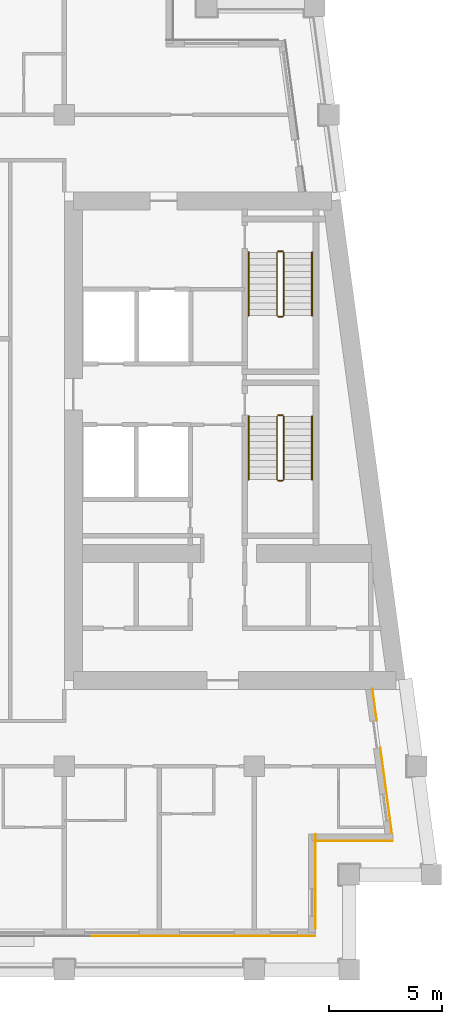
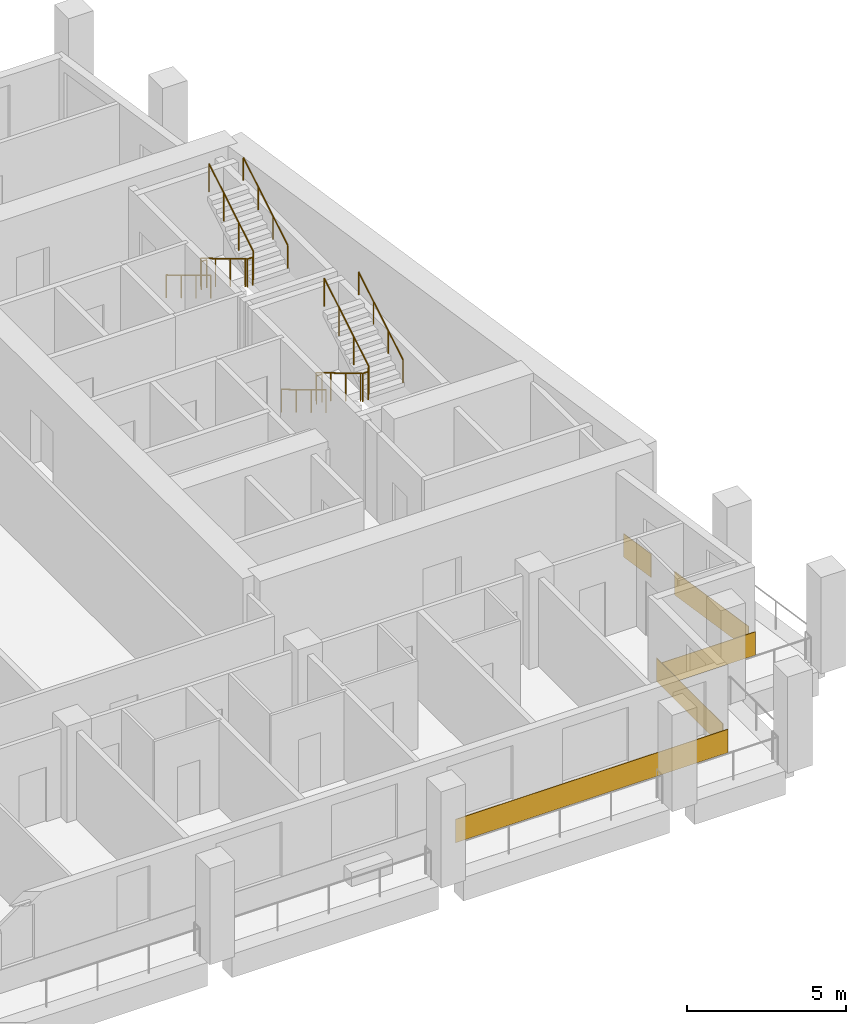
# One storey, part 10 of 12: 8 railings, 5 coverings.
"""IFC4 building model written with IfcOpenShell, lengths in metres."""

import ifcopenshell
import ifcopenshell.guid

model = None  # the IFC model being written
_history = None  # IfcOwnerHistory: only IFC2X3 demands one
_inside = {}  # id of a spatial element -> (the spatial element, [elements in it])
_under = {}  # id of a project, library or spatial element -> (it, [spatial elements below it])
_declared = {}  # id of a project -> (the project, [libraries it declares])
_typed = {}  # id of a type object -> (the type object, [elements of that type])
_made_of = {}  # id of a material, layer set ... -> (it, [elements and type objects made of it])


def new_model(schema):
    """Start an empty IFC model of exactly this schema.

    Asked for "IFC4X3", IfcOpenShell would pick the latest addendum, in which some entities
    have other attributes; the version numbers below select the first issue.
    IFC2X3 requires an IfcOwnerHistory on every rooted entity: one is made here for all.
    """
    global model, _history
    if schema == "IFC4X3":
        model = ifcopenshell.file(schema_version=(4, 3, 0, 0))
    else:
        model = ifcopenshell.file(schema=schema)
    _inside.clear()
    _under.clear()
    _declared.clear()
    _typed.clear()
    _made_of.clear()
    _history = None
    if model.schema == "IFC2X3":
        org = make("IfcOrganization", Name="unknown")
        user = make(
            "IfcPersonAndOrganization",
            ThePerson=make("IfcPerson", FamilyName="unknown"),
            TheOrganization=org,
        )
        app = make(
            "IfcApplication",
            ApplicationDeveloper=org,
            Version="unknown",
            ApplicationFullName="unknown",
            ApplicationIdentifier="unknown",
        )
        _history = make(
            "IfcOwnerHistory",
            OwningUser=user,
            OwningApplication=app,
            ChangeAction="ADDED",
            CreationDate=0,
        )
    return model


def make(cls, **values):
    """One entity of the class cls with the attributes given. An attribute that is None is left unset."""
    return model.create_entity(
        cls, **{name: value for name, value in values.items() if value is not None}
    )


def rooted(cls, **values):
    """An entity with a GlobalId (a new one), such as an element, a storey or a relation."""
    return make(cls, GlobalId=ifcopenshell.guid.new(), OwnerHistory=_history, **values)


def si_unit(unit_type, name, prefix=None):
    """IfcSIUnit, for example si_unit("LENGTHUNIT", "METRE", prefix="MILLI")."""
    return make("IfcSIUnit", UnitType=unit_type, Prefix=prefix, Name=name)


def assignment(units):
    """IfcUnitAssignment: the units of a project."""
    return None if units is None else make("IfcUnitAssignment", Units=units)


def point(xyz):
    """IfcCartesianPoint."""
    return None if xyz is None else make("IfcCartesianPoint", Coordinates=xyz)


def direction(xyz):
    """IfcDirection."""
    return None if xyz is None else make("IfcDirection", DirectionRatios=xyz)


def frame(location, z_axis=None, x_axis=None):
    """IfcAxis2Placement3D, a coordinate frame: its origin and axes. An axis left out is left unset."""
    return make(
        "IfcAxis2Placement3D",
        Location=point(location),
        Axis=direction(z_axis),
        RefDirection=direction(x_axis),
    )


def frame_2d(location, x_axis=None):
    """IfcAxis2Placement2D, a coordinate frame in the plane: its origin and x axis."""
    return make(
        "IfcAxis2Placement2D", Location=point(location), RefDirection=direction(x_axis)
    )


def origin():
    """The frame at (0, 0, 0) with its axes left unset."""
    return frame((0.0, 0.0, 0.0))


def origin_2d():
    """The frame at (0, 0) in the plane with its x axis left unset."""
    return frame_2d((0.0, 0.0))


def place(relative_to, where):
    """IfcLocalPlacement: puts the frame where relative to a parent placement (None: the world)."""
    return make(
        "IfcLocalPlacement", PlacementRelTo=relative_to, RelativePlacement=where
    )


def context(
    kind, dimensions, precision=None, world=None, true_north=None, identifier=None
):
    """IfcGeometricRepresentationContext, for example the 3D "Model" context."""
    return make(
        "IfcGeometricRepresentationContext",
        ContextIdentifier=identifier,
        ContextType=kind,
        CoordinateSpaceDimension=dimensions,
        Precision=precision,
        WorldCoordinateSystem=world,
        TrueNorth=true_north,
    )


def subcontext(parent, identifier, kind, view, scale=None):
    """IfcGeometricRepresentationSubContext, for example "Body" below "Model"."""
    return make(
        "IfcGeometricRepresentationSubContext",
        ContextIdentifier=identifier,
        ContextType=kind,
        ParentContext=parent,
        TargetScale=scale,
        TargetView=view,
    )


def project(units=None, contexts=None):
    """IfcProject with its units and contexts."""
    return rooted(
        "IfcProject",
        Name="project",
        RepresentationContexts=contexts,
        UnitsInContext=assignment(units),
    )


def spatial(cls, under=None, at=None, **own):
    """A site, building, storey or space (cls), placed at a placement, below another one or the project."""
    s = rooted(cls, ObjectPlacement=at, **own)
    if under is not None:
        _under.setdefault(under.id(), (under, []))[1].append(s)
    return s


def profile(cls, at=None, kind="AREA", **sizes):
    """A parametric profile (cls). Its sizes go by their IFC names, for example OverallWidth=200.0."""
    return make(cls, ProfileType=kind, Position=at, **sizes)


def rectangle(**sizes):
    """IfcRectangleProfileDef."""
    return profile("IfcRectangleProfileDef", **sizes)


def circle(**sizes):
    """IfcCircleProfileDef."""
    return profile("IfcCircleProfileDef", **sizes)


def extrude(swept, where, along, depth):
    """IfcExtrudedAreaSolid: the profile swept, set in the frame where, extruded along a direction by depth."""
    return make(
        "IfcExtrudedAreaSolid",
        SweptArea=swept,
        Position=where,
        ExtrudedDirection=direction(along),
        Depth=depth,
    )


def shape(context_of_items, identifier, shape_type, items):
    """IfcShapeRepresentation: the items that make up one representation, for example the "Body"."""
    return make(
        "IfcShapeRepresentation",
        ContextOfItems=context_of_items,
        RepresentationIdentifier=identifier,
        RepresentationType=shape_type,
        Items=items,
    )


def material(Name=None, Category=None):
    """IfcMaterial."""
    return make("IfcMaterial", Name=Name, Category=Category)


def layer(
    of_material, thickness, ventilated=None, Name=None, Category=None, Priority=None
):
    """IfcMaterialLayer: one layer of a wall or slab, of a material (None: an air gap)."""
    return make(
        "IfcMaterialLayer",
        Material=of_material,
        LayerThickness=thickness,
        IsVentilated=ventilated,
        Name=Name,
        Category=Category,
        Priority=Priority,
    )


def layer_set(layers, Name=None):
    """IfcMaterialLayerSet."""
    return make("IfcMaterialLayerSet", MaterialLayers=layers, LayerSetName=Name)


def made_of(thing, what):
    """Note that an element or type object is made of a material, layer set ...; save() writes the relation."""
    if what is not None:
        _made_of.setdefault(what.id(), (what, []))[1].append(thing)
    return thing


def type_object(cls, material=None, **own):
    """A type object (cls), such as IfcWallType, which elements share."""
    return made_of(rooted(cls, **own), material)


def element(
    cls,
    number,
    at=None,
    inside=None,
    cuts=None,
    type_object=None,
    material=None,
    context=None,
    identifier="Body",
    shape_type=None,
    held_by="IfcProductDefinitionShape",
    body=None,
    shapes=None,
    **own,
):
    """One element of the class cls, such as IfcWall. Its Tag is "e" and its number.

    at: its placement. inside: the storey or other place that contains it. cuts: it is an
    opening in that element (IfcRelVoidsElement). A single representation is given by context,
    identifier, shape_type and body (its items); several are given by shapes. held_by: the class
    of the entity that holds the representations. save() writes the other relations.
    """
    e = rooted(cls, Tag="e%d" % number, ObjectPlacement=at, **own)
    if body is not None:
        shapes = [shape(context, identifier, shape_type, body)]
    if shapes is not None:
        e.Representation = make(held_by, Representations=shapes)
    if inside is not None:
        _inside.setdefault(inside.id(), (inside, []))[1].append(e)
    if cuts is not None:
        rooted(
            "IfcRelVoidsElement", RelatingBuildingElement=cuts, RelatedOpeningElement=e
        )
    if type_object is not None:
        _typed.setdefault(type_object.id(), (type_object, []))[1].append(e)
    return made_of(e, material)


def aggregate(whole, parts):
    """IfcRelAggregates: a whole, such as a stair, and the parts it consists of."""
    return rooted("IfcRelAggregates", RelatingObject=whole, RelatedObjects=parts)


def save(model, path):
    """Write the relations noted so far, then the file.

    IfcRelAggregates (storeys below a building ...), IfcRelContainedInSpatialStructure (elements
    in a storey), IfcRelDefinesByType, IfcRelAssociatesMaterial and IfcRelDeclares: one each for
    every whole, place, type object, material and project.
    """
    for whole, parts in _under.values():
        aggregate(whole, parts)
    for where, things in _inside.values():
        rooted(
            "IfcRelContainedInSpatialStructure",
            RelatedElements=things,
            RelatingStructure=where,
        )
    for kind, things in _typed.values():
        rooted("IfcRelDefinesByType", RelatedObjects=things, RelatingType=kind)
    for what, things in _made_of.values():
        rooted("IfcRelAssociatesMaterial", RelatedObjects=things, RelatingMaterial=what)
    for by, libraries in _declared.values():
        rooted("IfcRelDeclares", RelatingContext=by, RelatedDefinitions=libraries)
    model.write(path)


model = new_model("IFC4")

# Units and contexts
model_context = context("Model", 3, precision=1e-05, world=origin(), true_north=direction((0.0, 1.0)))
body_context = subcontext(model_context, "Body", "Model", "MODEL_VIEW")
ifc_project = project(units=[si_unit("LENGTHUNIT", "METRE"), si_unit("AREAUNIT", "SQUARE_METRE"), si_unit("VOLUMEUNIT", "CUBIC_METRE"), si_unit("PLANEANGLEUNIT", "RADIAN"), si_unit("MASSUNIT", "GRAM", prefix="KILO")], contexts=[model_context])

# Site, building, storey
site_placement = place(None, origin())
site = spatial("IfcSite", under=ifc_project, at=site_placement, CompositionType="ELEMENT")
building_placement = place(site_placement, origin())
building = spatial("IfcBuilding", under=site, at=building_placement, Name="Candeia Pilgrim Tower and Theatre", CompositionType="ELEMENT")
storey_placement = place(building_placement, frame((0.0, 0.0, 228.10009765625)))
storey = spatial("IfcBuildingStorey", under=building, at=storey_placement, Name="L55", CompositionType="ELEMENT", Elevation=228.10009765625)

# Coverings
ifc_material_1 = material(Name="Glazed ceramic tile bottle green")
ifc_layer_1 = layer(ifc_material_1, 0.02001953125)
ifc_layer_set_1 = layer_set([ifc_layer_1], Name="Glazed ceramic tile bottle green")
covering_type_1 = type_object("IfcCoveringType", Name="Glazed ceramic tile bottle green", PredefinedType="CLADDING", material=ifc_layer_set_1)
covering_1_placement = place(storey_placement, frame((137.110107421875, 101.909912109375, 0.0), z_axis=(0.0, 0.0, 1.0), x_axis=(0.0, 1.0, 0.0)))
element("IfcCovering", 1, at=covering_1_placement, inside=storey, type_object=covering_type_1, Name="Tile cladding bottle green L55", PredefinedType="CLADDING", context=body_context, shape_type="SweptSolid", body=[
    extrude(rectangle(XDim=4.179931640625, YDim=0.02001953125, at=origin_2d()), origin(), (0.0, 0.0, 1.0), 0.89990234375),
])
covering_2_placement = place(storey_placement, frame((140.228515625, 105.933349609375, 0.0), z_axis=(0.0, 0.0, 1.0), x_axis=(-0.133412012145, 0.991060661622, 0.0)))
element("IfcCovering", 2, at=covering_2_placement, inside=storey, type_object=covering_type_1, Name="Tile cladding bottle green L55", PredefinedType="CLADDING", context=body_context, shape_type="SweptSolid", body=[
    extrude(rectangle(XDim=3.821044921875, YDim=0.02001953125, at=origin_2d()), origin(), (0.0, 0.0, 1.0), 0.89990234375),
])
covering_3_placement = place(storey_placement, frame((139.718994140625, 109.71875, 0.0), z_axis=(0.0, 0.0, 1.0), x_axis=(-0.133412012145, 0.991060661622, 0.0)))
element("IfcCovering", 3, at=covering_3_placement, inside=storey, type_object=covering_type_1, Name="Tile cladding bottle green L55", PredefinedType="CLADDING", context=body_context, shape_type="SweptSolid", body=[
    extrude(rectangle(XDim=1.41796875, YDim=0.02001953125, at=origin_2d()), origin(), (0.0, 0.0, 1.0), 0.89990234375),
])
ifc_material_2 = material(Name="Glazed ceramic tile rust")
ifc_layer_2 = layer(ifc_material_2, 0.02001953125)
ifc_layer_set_2 = layer_set([ifc_layer_2], Name="Glazed ceramic tile rust")
covering_type_2 = type_object("IfcCoveringType", Name="Glazed ceramic tile rust", PredefinedType="CLADDING", material=ifc_layer_set_2)
covering_4_placement = place(storey_placement, frame((132.14990234375, 99.489990234375, 0.0), z_axis=(0.0, 0.0, 1.0), x_axis=(1.0, 0.0, 0.0)))
element("IfcCovering", 4, at=covering_4_placement, inside=storey, type_object=covering_type_2, Name="Tile cladding rust L55", PredefinedType="CLADDING", context=body_context, shape_type="SweptSolid", body=[
    extrude(rectangle(XDim=9.89990234375, YDim=0.02001953125, at=origin_2d()), origin(), (0.0, 0.0, 1.0), 0.89990234375),
])
covering_5_placement = place(storey_placement, frame((138.819580078125, 103.68994140625, 0.0), z_axis=(0.0, 0.0, 1.0), x_axis=(1.0, 0.0, 0.0)))
element("IfcCovering", 5, at=covering_5_placement, inside=storey, type_object=covering_type_2, Name="Tile cladding rust L55", PredefinedType="CLADDING", context=body_context, shape_type="SweptSolid", body=[
    extrude(rectangle(XDim=3.399169921875, YDim=0.02001953125, at=origin_2d()), origin(), (0.0, 0.0, 1.0), 0.89990234375),
])

# Railings
ifc_material_3 = material(Name="Stainless steel balustrade", Category="steel")
railing_type_1 = type_object("IfcRailingType", Name="RL-GUARD-1100", PredefinedType="GUARDRAIL", material=ifc_material_3)
railing_1_placement = place(storey_placement, frame((135.39794921875, 122.47509765625, 0.16796875)))
element("IfcRailing", 6, at=railing_1_placement, inside=storey, type_object=railing_type_1, Name="L55 ST3 stair guard 1", PredefinedType="GUARDRAIL", context=body_context, shape_type="SweptSolid", body=[
    extrude(circle(Radius=0.02392578125, at=origin_2d()), frame((0.0, 0.0, 1.076171875), z_axis=(0.0, -0.857242210791, 0.514913383045), x_axis=(1.0, 0.0, 0.0)), (0.0, 0.0, 1.0), 3.266357421875),
    extrude(circle(Radius=0.02392578125, at=origin_2d()), frame((0.0, -2.800048828125, 2.7578125), z_axis=(0.707106781187, -0.707106781187, 0.0), x_axis=(0.707106781187, 0.707106781187, 0.0)), (0.0, 0.0, 1.0), 0.07080078125),
    extrude(circle(Radius=0.02392578125, at=origin_2d()), frame((0.050048828125, -2.85009765625, 2.7578125), z_axis=(1.0, 0.0, 0.0), x_axis=(0.0, 1.0, 0.0)), (0.0, 0.0, 1.0), 0.199951171875),
    extrude(circle(Radius=0.02392578125, at=origin_2d()), frame((0.25, -2.85009765625, 2.7578125), z_axis=(0.274243871929, 0.274243871929, 0.92172696468), x_axis=(-0.707106781187, 0.707106781187, 0.0)), (0.0, 0.0, 1.0), 0.1826171875),
    extrude(circle(Radius=0.02392578125, at=origin_2d()), frame((0.300048828125, -2.800048828125, 2.92626953125), z_axis=(0.0, 0.857242210791, 0.514913383045), x_axis=(-1.0, 0.0, 0.0)), (0.0, 0.0, 1.0), 3.266357421875),
    extrude(circle(Radius=0.02099609375, at=origin_2d()), origin(), (0.0, 0.0, 1.0), 1.052001953125),
    extrude(circle(Radius=0.02099609375, at=origin_2d()), frame((0.0, -0.933349609375, 0.560546875)), (0.0, 0.0, 1.0), 1.052001953125),
    extrude(circle(Radius=0.02099609375, at=origin_2d()), frame((0.0, -1.86669921875, 1.121337890625)), (0.0, 0.0, 1.0), 1.052001953125),
    extrude(circle(Radius=0.02099609375, at=origin_2d()), frame((0.0, -2.800048828125, 1.681884765625)), (0.0, 0.0, 1.0), 1.052001953125),
    extrude(circle(Radius=0.02099609375, at=origin_2d()), frame((0.050048828125, -2.85009765625, 1.681884765625)), (0.0, 0.0, 1.0), 1.052001953125),
    extrude(circle(Radius=0.02099609375, at=origin_2d()), frame((0.25, -2.85009765625, 1.681884765625)), (0.0, 0.0, 1.0), 1.052001953125),
    extrude(circle(Radius=0.02099609375, at=origin_2d()), frame((0.300048828125, -2.800048828125, 1.85009765625)), (0.0, 0.0, 1.0), 1.052001953125),
    extrude(circle(Radius=0.02099609375, at=origin_2d()), frame((0.300048828125, -1.86669921875, 2.41064453125)), (0.0, 0.0, 1.0), 1.052001953125),
    extrude(circle(Radius=0.02099609375, at=origin_2d()), frame((0.300048828125, -0.933349609375, 2.971435546875)), (0.0, 0.0, 1.0), 1.052001953125),
    extrude(circle(Radius=0.02099609375, at=origin_2d()), frame((0.300048828125, 0.0, 3.531982421875)), (0.0, 0.0, 1.0), 1.052001953125),
])
railing_2_placement = place(storey_placement, frame((135.447998046875, 122.52490234375, 0.0)))
element("IfcRailing", 7, at=railing_2_placement, inside=storey, type_object=railing_type_1, Name="L55 ST3 stair guard 2", PredefinedType="GUARDRAIL", context=body_context, shape_type="SweptSolid", body=[
    extrude(circle(Radius=0.02392578125, at=origin_2d()), frame((0.0, 0.0, 1.076171875), z_axis=(1.0, 0.0, 0.0), x_axis=(0.0, 1.0, 0.0)), (0.0, 0.0, 1.0), 0.199951171875),
    extrude(circle(Radius=0.02099609375, at=origin_2d()), origin(), (0.0, 0.0, 1.0), 1.052001953125),
    extrude(circle(Radius=0.02099609375, at=origin_2d()), frame((0.199951171875, 0.0, 0.0)), (0.0, 0.0, 1.0), 1.052001953125),
])
railing_3_placement = place(storey_placement, frame((135.39794921875, 129.72509765625, 0.16796875)))
element("IfcRailing", 8, at=railing_3_placement, inside=storey, type_object=railing_type_1, Name="L55 ST4 stair guard 1", PredefinedType="GUARDRAIL", context=body_context, shape_type="SweptSolid", body=[
    extrude(circle(Radius=0.02392578125, at=origin_2d()), frame((0.0, 0.0, 1.076171875), z_axis=(0.0, -0.857242210791, 0.514913383045), x_axis=(1.0, 0.0, 0.0)), (0.0, 0.0, 1.0), 3.266357421875),
    extrude(circle(Radius=0.02392578125, at=origin_2d()), frame((0.0, -2.800048828125, 2.7578125), z_axis=(0.707106781187, -0.707106781187, 0.0), x_axis=(0.707106781187, 0.707106781187, 0.0)), (0.0, 0.0, 1.0), 0.07080078125),
    extrude(circle(Radius=0.02392578125, at=origin_2d()), frame((0.050048828125, -2.85009765625, 2.7578125), z_axis=(1.0, 0.0, 0.0), x_axis=(0.0, 1.0, 0.0)), (0.0, 0.0, 1.0), 0.199951171875),
    extrude(circle(Radius=0.02392578125, at=origin_2d()), frame((0.25, -2.85009765625, 2.7578125), z_axis=(0.274243871929, 0.274243871929, 0.92172696468), x_axis=(-0.707106781187, 0.707106781187, 0.0)), (0.0, 0.0, 1.0), 0.1826171875),
    extrude(circle(Radius=0.02392578125, at=origin_2d()), frame((0.300048828125, -2.800048828125, 2.92626953125), z_axis=(0.0, 0.857242210791, 0.514913383045), x_axis=(-1.0, 0.0, 0.0)), (0.0, 0.0, 1.0), 3.266357421875),
    extrude(circle(Radius=0.02099609375, at=origin_2d()), origin(), (0.0, 0.0, 1.0), 1.052001953125),
    extrude(circle(Radius=0.02099609375, at=origin_2d()), frame((0.0, -0.933349609375, 0.560546875)), (0.0, 0.0, 1.0), 1.052001953125),
    extrude(circle(Radius=0.02099609375, at=origin_2d()), frame((0.0, -1.86669921875, 1.121337890625)), (0.0, 0.0, 1.0), 1.052001953125),
    extrude(circle(Radius=0.02099609375, at=origin_2d()), frame((0.0, -2.800048828125, 1.681884765625)), (0.0, 0.0, 1.0), 1.052001953125),
    extrude(circle(Radius=0.02099609375, at=origin_2d()), frame((0.050048828125, -2.85009765625, 1.681884765625)), (0.0, 0.0, 1.0), 1.052001953125),
    extrude(circle(Radius=0.02099609375, at=origin_2d()), frame((0.25, -2.85009765625, 1.681884765625)), (0.0, 0.0, 1.0), 1.052001953125),
    extrude(circle(Radius=0.02099609375, at=origin_2d()), frame((0.300048828125, -2.800048828125, 1.85009765625)), (0.0, 0.0, 1.0), 1.052001953125),
    extrude(circle(Radius=0.02099609375, at=origin_2d()), frame((0.300048828125, -1.86669921875, 2.41064453125)), (0.0, 0.0, 1.0), 1.052001953125),
    extrude(circle(Radius=0.02099609375, at=origin_2d()), frame((0.300048828125, -0.933349609375, 2.971435546875)), (0.0, 0.0, 1.0), 1.052001953125),
    extrude(circle(Radius=0.02099609375, at=origin_2d()), frame((0.300048828125, 0.0, 3.531982421875)), (0.0, 0.0, 1.0), 1.052001953125),
])
railing_4_placement = place(storey_placement, frame((135.447998046875, 129.77490234375, 0.0)))
element("IfcRailing", 9, at=railing_4_placement, inside=storey, type_object=railing_type_1, Name="L55 ST4 stair guard 2", PredefinedType="GUARDRAIL", context=body_context, shape_type="SweptSolid", body=[
    extrude(circle(Radius=0.02392578125, at=origin_2d()), frame((0.0, 0.0, 1.076171875), z_axis=(1.0, 0.0, 0.0), x_axis=(0.0, 1.0, 0.0)), (0.0, 0.0, 1.0), 0.199951171875),
    extrude(circle(Radius=0.02099609375, at=origin_2d()), origin(), (0.0, 0.0, 1.0), 1.052001953125),
    extrude(circle(Radius=0.02099609375, at=origin_2d()), frame((0.199951171875, 0.0, 0.0)), (0.0, 0.0, 1.0), 1.052001953125),
])
ifc_material_4 = material(Name="Stainless steel handrail", Category="steel")
railing_type_2 = type_object("IfcRailingType", Name="RL-HANDRAIL-900", PredefinedType="HANDRAIL", material=ifc_material_4)
railing_5_placement = place(storey_placement, frame((134.14794921875, 122.47509765625, 0.16796875)))
element("IfcRailing", 10, at=railing_5_placement, inside=storey, type_object=railing_type_2, Name="L55 ST3 stair handrail 1", PredefinedType="HANDRAIL", context=body_context, shape_type="SweptSolid", body=[
    extrude(circle(Radius=0.02392578125, at=origin_2d()), frame((0.0, 0.0, 0.8759765625), z_axis=(0.0, -0.857242210791, 0.514913383045), x_axis=(1.0, 0.0, 0.0)), (0.0, 0.0, 1.0), 3.266357421875),
    extrude(circle(Radius=0.02099609375, at=origin_2d()), origin(), (0.0, 0.0, 1.0), 0.851806640625),
    extrude(circle(Radius=0.02099609375, at=origin_2d()), frame((0.0, -0.933349609375, 0.560546875)), (0.0, 0.0, 1.0), 0.851806640625),
    extrude(circle(Radius=0.02099609375, at=origin_2d()), frame((0.0, -1.86669921875, 1.121337890625)), (0.0, 0.0, 1.0), 0.851806640625),
    extrude(circle(Radius=0.02099609375, at=origin_2d()), frame((0.0, -2.800048828125, 1.681884765625)), (0.0, 0.0, 1.0), 0.851806640625),
])
railing_6_placement = place(storey_placement, frame((136.947998046875, 119.675048828125, 2.01806640625)))
element("IfcRailing", 11, at=railing_6_placement, inside=storey, type_object=railing_type_2, Name="L55 ST3 stair handrail 2", PredefinedType="HANDRAIL", context=body_context, shape_type="SweptSolid", body=[
    extrude(circle(Radius=0.02392578125, at=origin_2d()), frame((0.0, 0.0, 0.8759765625), z_axis=(0.0, 0.857242210791, 0.514913383045), x_axis=(-1.0, 0.0, 0.0)), (0.0, 0.0, 1.0), 3.266357421875),
    extrude(circle(Radius=0.02099609375, at=origin_2d()), origin(), (0.0, 0.0, 1.0), 0.851806640625),
    extrude(circle(Radius=0.02099609375, at=origin_2d()), frame((0.0, 0.933349609375, 0.560546875)), (0.0, 0.0, 1.0), 0.851806640625),
    extrude(circle(Radius=0.02099609375, at=origin_2d()), frame((0.0, 1.86669921875, 1.121337890625)), (0.0, 0.0, 1.0), 0.851806640625),
    extrude(circle(Radius=0.02099609375, at=origin_2d()), frame((0.0, 2.800048828125, 1.681884765625)), (0.0, 0.0, 1.0), 0.851806640625),
])
railing_7_placement = place(storey_placement, frame((134.14794921875, 129.72509765625, 0.16796875)))
element("IfcRailing", 12, at=railing_7_placement, inside=storey, type_object=railing_type_2, Name="L55 ST4 stair handrail 1", PredefinedType="HANDRAIL", context=body_context, shape_type="SweptSolid", body=[
    extrude(circle(Radius=0.02392578125, at=origin_2d()), frame((0.0, 0.0, 0.8759765625), z_axis=(0.0, -0.857242210791, 0.514913383045), x_axis=(1.0, 0.0, 0.0)), (0.0, 0.0, 1.0), 3.266357421875),
    extrude(circle(Radius=0.02099609375, at=origin_2d()), origin(), (0.0, 0.0, 1.0), 0.851806640625),
    extrude(circle(Radius=0.02099609375, at=origin_2d()), frame((0.0, -0.933349609375, 0.560546875)), (0.0, 0.0, 1.0), 0.851806640625),
    extrude(circle(Radius=0.02099609375, at=origin_2d()), frame((0.0, -1.86669921875, 1.121337890625)), (0.0, 0.0, 1.0), 0.851806640625),
    extrude(circle(Radius=0.02099609375, at=origin_2d()), frame((0.0, -2.800048828125, 1.681884765625)), (0.0, 0.0, 1.0), 0.851806640625),
])
railing_8_placement = place(storey_placement, frame((136.947998046875, 126.925048828125, 2.01806640625)))
element("IfcRailing", 13, at=railing_8_placement, inside=storey, type_object=railing_type_2, Name="L55 ST4 stair handrail 2", PredefinedType="HANDRAIL", context=body_context, shape_type="SweptSolid", body=[
    extrude(circle(Radius=0.02392578125, at=origin_2d()), frame((0.0, 0.0, 0.8759765625), z_axis=(0.0, 0.857242210791, 0.514913383045), x_axis=(-1.0, 0.0, 0.0)), (0.0, 0.0, 1.0), 3.266357421875),
    extrude(circle(Radius=0.02099609375, at=origin_2d()), origin(), (0.0, 0.0, 1.0), 0.851806640625),
    extrude(circle(Radius=0.02099609375, at=origin_2d()), frame((0.0, 0.933349609375, 0.560546875)), (0.0, 0.0, 1.0), 0.851806640625),
    extrude(circle(Radius=0.02099609375, at=origin_2d()), frame((0.0, 1.86669921875, 1.121337890625)), (0.0, 0.0, 1.0), 0.851806640625),
    extrude(circle(Radius=0.02099609375, at=origin_2d()), frame((0.0, 2.800048828125, 1.681884765625)), (0.0, 0.0, 1.0), 0.851806640625),
])

save(model, "model.ifc")
